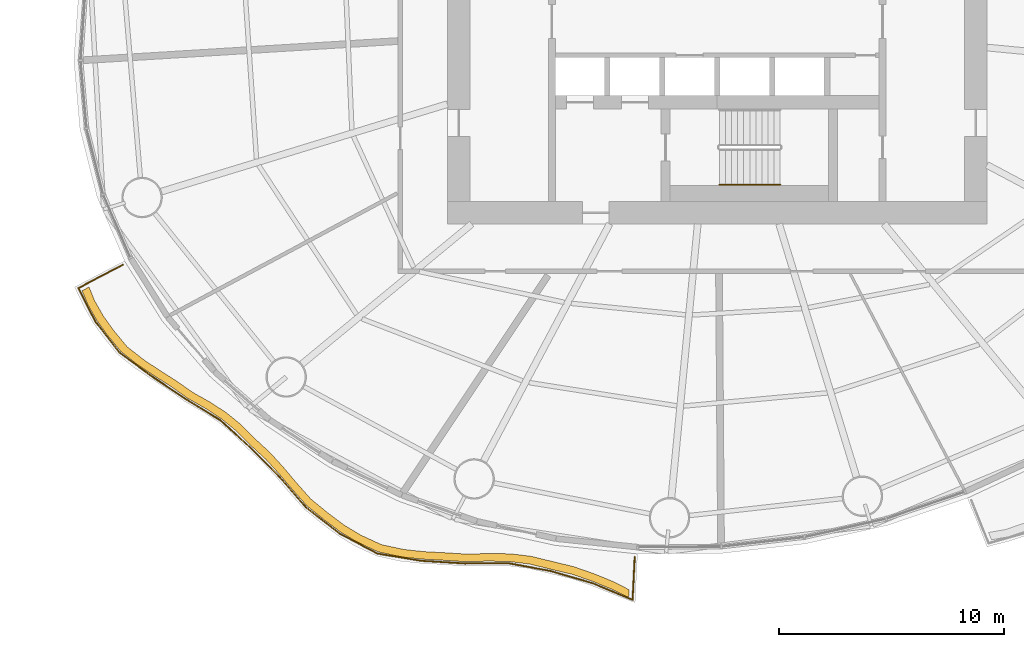
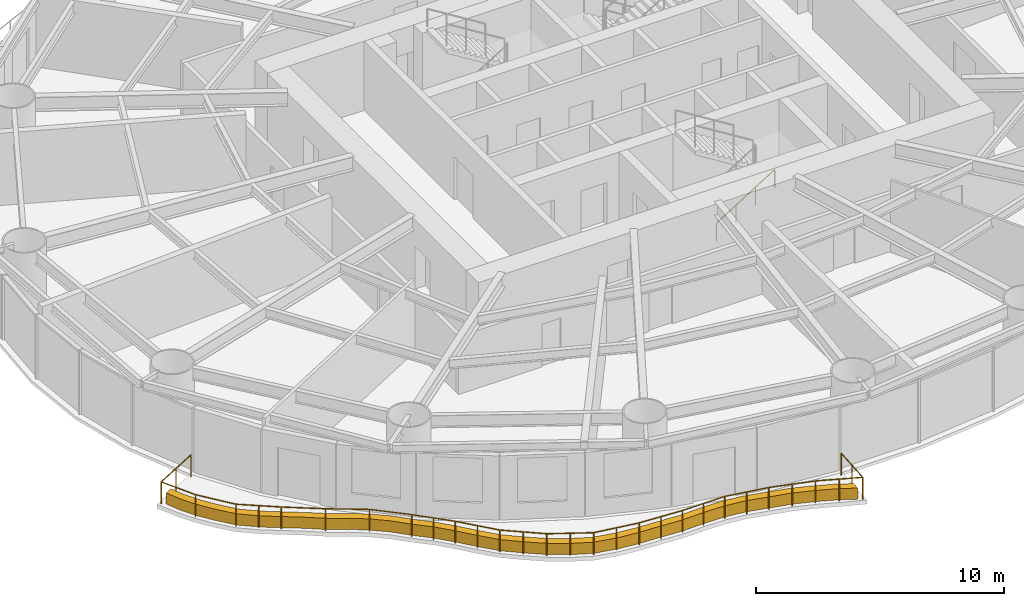
# One storey, part 12 of 16: 2 railings, 1 covering.
"""IFC4 building model written with IfcOpenShell, lengths in metres."""

from ifc_helpers import new_model, si_unit, direction, frame, origin, origin_2d, place, context, subcontext, project, spatial, polyline, circle, outline, extrude, material, type_object, element, save


model = new_model("IFC4")

# Units and contexts
model_context = context("Model", 3, precision=1e-05, world=origin(), true_north=direction((0.0, 1.0)))
body_context = subcontext(model_context, "Body", "Model", "MODEL_VIEW")
ifc_project = project(units=[si_unit("LENGTHUNIT", "METRE"), si_unit("AREAUNIT", "SQUARE_METRE"), si_unit("VOLUMEUNIT", "CUBIC_METRE"), si_unit("PLANEANGLEUNIT", "RADIAN"), si_unit("MASSUNIT", "GRAM", prefix="KILO")], contexts=[model_context])

# Site, building, storey
site_placement = place(None, origin())
site = spatial("IfcSite", under=ifc_project, at=site_placement, CompositionType="ELEMENT")
building_placement = place(site_placement, origin())
building = spatial("IfcBuilding", under=site, at=building_placement, Name="Vermilion Reach Broadcast Tower", CompositionType="ELEMENT")
storey_placement = place(building_placement, frame((0.0, 0.0, 73.0)))
storey = spatial("IfcBuildingStorey", under=building, at=storey_placement, Name="L15", CompositionType="ELEMENT", Elevation=73.0)

# Covering
ifc_material_1 = material(Name="Planting soil and greenery")
covering_type = type_object("IfcCoveringType", Name="Balcony PLANTER", PredefinedType="USERDEFINED", material=ifc_material_1)
covering_placement = place(storey_placement, origin())
element("IfcCovering", 1, at=covering_placement, inside=storey, type_object=covering_type, Name="PLANTER L15 group 3", ObjectType="PLANTER", PredefinedType="USERDEFINED", context=body_context, shape_type="SweptSolid", body=[
    extrude(outline(polyline([(-34.2431640625, -11.967041015625), (-33.9833984375, -12.592529296875), (-33.593505859375, -13.27978515625), (-33.134033203125, -13.92333984375), (-32.51953125, -14.670654296875), (-31.738525390625, -15.287109375), (-31.03759765625, -15.747802734375), (-30.32666015625, -16.199951171875), (-29.564697265625, -16.738525390625), (-28.745361328125, -17.20703125), (-28.047607421875, -17.664306640625), (-27.406494140625, -18.1865234375), (-26.768310546875, -18.826171875), (-26.07861328125, -19.457763671875), (-25.48876953125, -20.103515625), (-24.919677734375, -20.78076171875), (-24.24658203125, -21.531494140625), (-23.451416015625, -22.175537109375), (-22.7421875, -22.70556640625), (-21.993896484375, -23.156005859375), (-21.06884765625, -23.5830078125), (-20.04638671875, -23.805908203125), (-19.13720703125, -23.903076171875), (-18.211181640625, -23.9521484375), (-17.1943359375, -24.01904296875), (-16.163818359375, -23.99267578125), (-15.237060546875, -24.01220703125), (-14.330810546875, -24.1240234375), (-13.388427734375, -24.35498046875), (-12.42236328125, -24.5859375), (-11.526123046875, -24.8974609375), (-10.635009765625, -25.2607421875), (-9.935791015625, -25.61376953125), (-9.918701171875, -25.26416015625), (-10.598876953125, -24.91259765625), (-11.48974609375, -24.54931640625), (-12.38623046875, -24.23779296875), (-13.33251953125, -24.009521484375), (-14.255615234375, -23.7822265625), (-15.161865234375, -23.670166015625), (-16.088623046875, -23.65087890625), (-17.099365234375, -23.68212890625), (-18.0966796875, -23.621337890625), (-19.022705078125, -23.572509765625), (-19.931884765625, -23.47509765625), (-20.934326171875, -23.259765625), (-21.83984375, -22.841552734375), (-22.588134765625, -22.39111328125), (-23.297607421875, -21.861083984375), (-24.07275390625, -21.2275390625), (-24.7265625, -20.48876953125), (-25.2958984375, -19.8115234375), (-25.8857421875, -19.165771484375), (-26.555908203125, -18.5478515625), (-27.176025390625, -17.923095703125), (-27.817138671875, -17.401123046875), (-28.514892578125, -16.943603515625), (-29.31591796875, -16.4921875), (-30.06103515625, -15.97216796875), (-30.77197265625, -15.519775390625), (-31.472900390625, -15.05908203125), (-32.237548828125, -14.463134765625), (-32.83740234375, -13.7373046875), (-33.297119140625, -13.09375), (-33.68701171875, -12.406494140625), (-33.93310546875, -11.804443359375), (-34.2431640625, -11.967041015625)])), origin(), (0.0, 0.0, 1.0), 0.550048828125),
])

# Railings
ifc_material_2 = material(Name="Stainless steel 316 balustrade", Category="steel")
railing_type_1 = type_object("IfcRailingType", Name="Balcony guard 1100", PredefinedType="BALUSTRADE", material=ifc_material_2)
railing_1_placement = place(storey_placement, frame((-32.426513671875, -10.811767578125, 0.0)))
element("IfcRailing", 2, at=railing_1_placement, inside=storey, type_object=railing_type_1, Name="Balcony guard L15 group 3", PredefinedType="BALUSTRADE", context=body_context, shape_type="SweptSolid", body=[
    extrude(circle(Radius=0.02490234375, at=origin_2d()), frame((0.0, 0.0, 1.0751953125), z_axis=(-0.885603098112, -0.464442841063, 0.0), x_axis=(0.464442841063, -0.885603098112, 0.0)), (0.0, 0.0, 1.0), 2.2392578125),
    extrude(circle(Radius=0.02490234375, at=origin_2d()), frame((-1.983154296875, -1.0400390625, 1.0751953125), z_axis=(0.45353560587, -0.891238157962, 0.0), x_axis=(0.891238157962, 0.45353560587, 0.0)), (0.0, 0.0, 1.0), 1.64990234375),
    extrude(circle(Radius=0.02490234375, at=origin_2d()), frame((-1.23486328125, -2.510498046875, 1.0751953125), z_axis=(0.611041522355, -0.791598545955, 0.0), x_axis=(0.791598545955, 0.611041522355, 0.0)), (0.0, 0.0, 1.0), 1.76318359375),
    extrude(circle(Radius=0.02490234375, at=origin_2d()), frame((-0.157470703125, -3.90625, 1.0751953125), z_axis=(0.808431533363, -0.588590227462, 0.0), x_axis=(0.588590227462, 0.808431533363, 0.0)), (0.0, 0.0, 1.0), 1.837890625),
    extrude(circle(Radius=0.02490234375, at=origin_2d()), frame((1.328369140625, -4.988037109375, 1.0751953125), z_axis=(0.829255376451, -0.558869860188, 0.0), x_axis=(0.558869860188, 0.829255376451, 0.0)), (0.0, 0.0, 1.0), 1.780517578125),
    extrude(circle(Radius=0.02490234375, at=origin_2d()), frame((2.804931640625, -5.983154296875, 1.0751953125), z_axis=(0.853271678406, -0.521466626765, 0.0), x_axis=(0.521466626765, 0.853271678406, 0.0)), (0.0, 0.0, 1.0), 1.78271484375),
    extrude(circle(Radius=0.02490234375, at=origin_2d()), frame((4.326171875, -6.912841796875, 1.0751953125), z_axis=(0.740430515697, -0.672132912024, 0.0), x_axis=(0.672132912024, 0.740430515697, 0.0)), (0.0, 0.0, 1.0), 1.733642578125),
    extrude(circle(Radius=0.02490234375, at=origin_2d()), frame((5.60986328125, -8.078125, 1.0751953125), z_axis=(0.708048781543, -0.706163524232, 0.0), x_axis=(0.706163524232, 0.708048781543, 0.0)), (0.0, 0.0, 1.0), 1.81298828125),
    extrude(circle(Radius=0.02490234375, at=origin_2d()), frame((6.8935546875, -9.3583984375, 1.0751953125), z_axis=(0.656936492788, -0.753945916126, 0.0), x_axis=(0.753945916126, 0.656936492788, 0.0)), (0.0, 0.0, 1.0), 1.8974609375),
    extrude(circle(Radius=0.02490234375, at=origin_2d()), frame((8.14013671875, -10.7890625, 1.0751953125), z_axis=(0.788637175743, -0.614858849685, 0.0), x_axis=(0.614858849685, 0.788637175743, 0.0)), (0.0, 0.0, 1.0), 1.91357421875),
    extrude(circle(Radius=0.02490234375, at=origin_2d()), frame((9.649169921875, -11.965576171875, 1.0751953125), z_axis=(0.885705368454, -0.464247778983, 0.0), x_axis=(0.464247778983, 0.885705368454, 0.0)), (0.0, 0.0, 1.0), 1.894287109375),
    extrude(circle(Radius=0.02490234375, at=origin_2d()), frame((11.326904296875, -12.844970703125, 1.0751953125), z_axis=(0.986451011412, -0.16405609432, 0.0), x_axis=(0.16405609432, 0.986451011412, 0.0)), (0.0, 0.0, 1.0), 1.962890625),
    extrude(circle(Radius=0.02490234375, at=origin_2d()), frame((13.26318359375, -13.1669921875, 1.0751953125), z_axis=(0.998194055167, -0.060071858887, 0.0), x_axis=(0.060071858887, 0.998194055167, 0.0)), (0.0, 0.0, 1.0), 1.95068359375),
    extrude(circle(Radius=0.02490234375, at=origin_2d()), frame((15.21044921875, -13.2841796875, 1.0751953125), z_axis=(0.999995903139, 0.002862464937, 0.0), x_axis=(-0.002862464937, 0.999995903139, 0.0)), (0.0, 0.0, 1.0), 1.961669921875),
    extrude(circle(Radius=0.02490234375, at=origin_2d()), frame((17.172119140625, -13.278564453125, 1.0751953125), z_axis=(0.983252788242, -0.18224695996, 0.0), x_axis=(0.18224695996, 0.983252788242, 0.0)), (0.0, 0.0, 1.0), 1.884765625),
    extrude(circle(Radius=0.02490234375, at=origin_2d()), frame((19.025390625, -13.6220703125, 1.0751953125), z_axis=(0.960171409876, -0.27941163837, 0.0), x_axis=(0.27941163837, 0.960171409876, 0.0)), (0.0, 0.0, 1.0), 1.944091796875),
    extrude(circle(Radius=0.02490234375, at=origin_2d()), frame((20.89208984375, -14.165283203125, 1.0751953125), z_axis=(0.923801356757, -0.382872110832, 0.0), x_axis=(0.382872110832, 0.923801356757, 0.0)), (0.0, 0.0, 1.0), 1.919921875),
    extrude(circle(Radius=0.02490234375, at=origin_2d()), frame((22.665771484375, -14.900390625, 1.0751953125), z_axis=(0.048953298459, 0.998801068567, 0.0), x_axis=(-0.998801068567, 0.048953298459, 0.0)), (0.0, 0.0, 1.0), 1.905029296875),
    extrude(circle(Radius=0.02490234375, at=origin_2d()), origin(), (0.0, 0.0, 1.0), 1.050048828125),
    extrude(circle(Radius=0.02490234375, at=origin_2d()), frame((-0.99169921875, -0.52001953125, 0.0)), (0.0, 0.0, 1.0), 1.050048828125),
    extrude(circle(Radius=0.02490234375, at=origin_2d()), frame((-1.983154296875, -1.0400390625, 0.0)), (0.0, 0.0, 1.0), 1.050048828125),
    extrude(circle(Radius=0.02490234375, at=origin_2d()), frame((-1.23486328125, -2.510498046875, 0.0)), (0.0, 0.0, 1.0), 1.050048828125),
    extrude(circle(Radius=0.02490234375, at=origin_2d()), frame((-0.157470703125, -3.90625, 0.0)), (0.0, 0.0, 1.0), 1.050048828125),
    extrude(circle(Radius=0.02490234375, at=origin_2d()), frame((0.58544921875, -4.447265625, 0.0)), (0.0, 0.0, 1.0), 1.050048828125),
    extrude(circle(Radius=0.02490234375, at=origin_2d()), frame((1.328369140625, -4.988037109375, 0.0)), (0.0, 0.0, 1.0), 1.050048828125),
    extrude(circle(Radius=0.02490234375, at=origin_2d()), frame((2.804931640625, -5.983154296875, 0.0)), (0.0, 0.0, 1.0), 1.050048828125),
    extrude(circle(Radius=0.02490234375, at=origin_2d()), frame((4.326171875, -6.912841796875, 0.0)), (0.0, 0.0, 1.0), 1.050048828125),
    extrude(circle(Radius=0.02490234375, at=origin_2d()), frame((5.60986328125, -8.078125, 0.0)), (0.0, 0.0, 1.0), 1.050048828125),
    extrude(circle(Radius=0.02490234375, at=origin_2d()), frame((6.251708984375, -8.71826171875, 0.0)), (0.0, 0.0, 1.0), 1.050048828125),
    extrude(circle(Radius=0.02490234375, at=origin_2d()), frame((6.8935546875, -9.3583984375, 0.0)), (0.0, 0.0, 1.0), 1.050048828125),
    extrude(circle(Radius=0.02490234375, at=origin_2d()), frame((7.516845703125, -10.07373046875, 0.0)), (0.0, 0.0, 1.0), 1.050048828125),
    extrude(circle(Radius=0.02490234375, at=origin_2d()), frame((8.14013671875, -10.7890625, 0.0)), (0.0, 0.0, 1.0), 1.050048828125),
    extrude(circle(Radius=0.02490234375, at=origin_2d()), frame((8.89453125, -11.37744140625, 0.0)), (0.0, 0.0, 1.0), 1.050048828125),
    extrude(circle(Radius=0.02490234375, at=origin_2d()), frame((9.649169921875, -11.965576171875, 0.0)), (0.0, 0.0, 1.0), 1.050048828125),
    extrude(circle(Radius=0.02490234375, at=origin_2d()), frame((10.488037109375, -12.4052734375, 0.0)), (0.0, 0.0, 1.0), 1.050048828125),
    extrude(circle(Radius=0.02490234375, at=origin_2d()), frame((11.326904296875, -12.844970703125, 0.0)), (0.0, 0.0, 1.0), 1.050048828125),
    extrude(circle(Radius=0.02490234375, at=origin_2d()), frame((12.294921875, -13.005859375, 0.0)), (0.0, 0.0, 1.0), 1.050048828125),
    extrude(circle(Radius=0.02490234375, at=origin_2d()), frame((13.26318359375, -13.1669921875, 0.0)), (0.0, 0.0, 1.0), 1.050048828125),
    extrude(circle(Radius=0.02490234375, at=origin_2d()), frame((14.23681640625, -13.2255859375, 0.0)), (0.0, 0.0, 1.0), 1.050048828125),
    extrude(circle(Radius=0.02490234375, at=origin_2d()), frame((15.21044921875, -13.2841796875, 0.0)), (0.0, 0.0, 1.0), 1.050048828125),
    extrude(circle(Radius=0.02490234375, at=origin_2d()), frame((16.19140625, -13.28125, 0.0)), (0.0, 0.0, 1.0), 1.050048828125),
    extrude(circle(Radius=0.02490234375, at=origin_2d()), frame((17.172119140625, -13.278564453125, 0.0)), (0.0, 0.0, 1.0), 1.050048828125),
    extrude(circle(Radius=0.02490234375, at=origin_2d()), frame((18.0986328125, -13.4501953125, 0.0)), (0.0, 0.0, 1.0), 1.050048828125),
    extrude(circle(Radius=0.02490234375, at=origin_2d()), frame((19.025390625, -13.6220703125, 0.0)), (0.0, 0.0, 1.0), 1.050048828125),
    extrude(circle(Radius=0.02490234375, at=origin_2d()), frame((19.958740234375, -13.8935546875, 0.0)), (0.0, 0.0, 1.0), 1.050048828125),
    extrude(circle(Radius=0.02490234375, at=origin_2d()), frame((20.89208984375, -14.165283203125, 0.0)), (0.0, 0.0, 1.0), 1.050048828125),
    extrude(circle(Radius=0.02490234375, at=origin_2d()), frame((21.77880859375, -14.53271484375, 0.0)), (0.0, 0.0, 1.0), 1.050048828125),
    extrude(circle(Radius=0.02490234375, at=origin_2d()), frame((22.665771484375, -14.900390625, 0.0)), (0.0, 0.0, 1.0), 1.050048828125),
    extrude(circle(Radius=0.02490234375, at=origin_2d()), frame((22.71240234375, -13.948974609375, 0.0)), (0.0, 0.0, 1.0), 1.050048828125),
    extrude(circle(Radius=0.02490234375, at=origin_2d()), frame((22.759033203125, -12.99755859375, 0.0)), (0.0, 0.0, 1.0), 1.050048828125),
])
ifc_material_3 = material(Name="Stainless steel", Category="steel")
railing_type_2 = type_object("IfcRailingType", Name="Stair handrail", PredefinedType="HANDRAIL", material=ifc_material_3)
railing_2_placement = place(storey_placement, frame((-5.89990234375, -7.25, 0.168212890625)))
element("IfcRailing", 3, at=railing_2_placement, inside=storey, type_object=railing_type_2, Name="L15 ST3 stair handrail 1", PredefinedType="HANDRAIL", context=body_context, shape_type="SweptSolid", body=[
    extrude(circle(Radius=0.02392578125, at=origin_2d()), frame((0.0, 0.0, 0.8759765625), z_axis=(0.848786430784, 0.0, 0.528735846068), x_axis=(0.0, 1.0, 0.0)), (0.0, 0.0, 1.0), 3.180908203125),
    extrude(circle(Radius=0.02099609375, at=origin_2d()), origin(), (0.0, 0.0, 1.0), 0.851806640625),
    extrude(circle(Radius=0.02099609375, at=origin_2d()), frame((0.89990234375, 0.0, 0.560546875)), (0.0, 0.0, 1.0), 0.851806640625),
    extrude(circle(Radius=0.02099609375, at=origin_2d()), frame((1.800048828125, 0.0, 1.121337890625)), (0.0, 0.0, 1.0), 0.851806640625),
    extrude(circle(Radius=0.02099609375, at=origin_2d()), frame((2.699951171875, 0.0, 1.681884765625)), (0.0, 0.0, 1.0), 0.851806640625),
])

save(model, "model.ifc")
